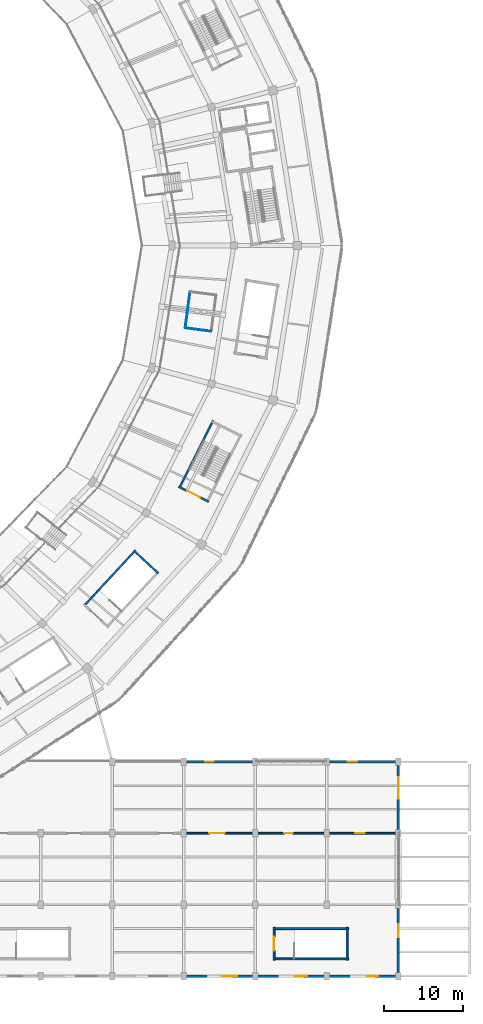
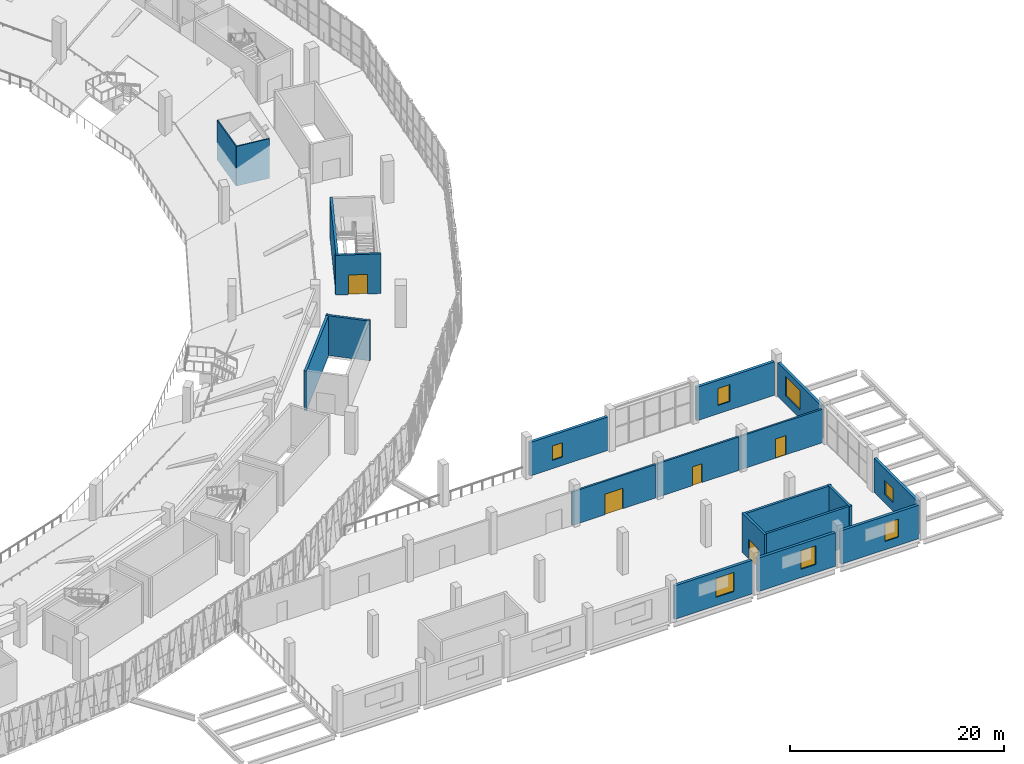
# One storey, part 96 of 152: 20 walls, 7 windows, 5 doors, 12 openings.
"""IFC4 building model written with IfcOpenShell, lengths in metres."""

from ifc_helpers import new_model, si_unit, direction, frame, frame_2d, origin, place, context, subcontext, project, spatial, rectangle, extrude, material, layer, layer_set, type_object, element, fill, save


model = new_model("IFC4")

# Units and contexts
model_context = context("Model", 3, precision=1e-05, world=origin(), true_north=direction((0.0, 1.0)))
body_context = subcontext(model_context, "Body", "Model", "MODEL_VIEW")
ifc_project = project(units=[si_unit("LENGTHUNIT", "METRE"), si_unit("AREAUNIT", "SQUARE_METRE"), si_unit("VOLUMEUNIT", "CUBIC_METRE"), si_unit("PLANEANGLEUNIT", "RADIAN"), si_unit("MASSUNIT", "GRAM", prefix="KILO")], contexts=[model_context])

# Site, building, storey
site_placement = place(None, origin())
site = spatial("IfcSite", under=ifc_project, at=site_placement, CompositionType="ELEMENT")
building_placement = place(site_placement, origin())
building = spatial("IfcBuilding", under=site, at=building_placement, Name="Zevraka Park Crest Stadium", CompositionType="ELEMENT")
storey_placement = place(building_placement, frame((0.0, 0.0, 15.0)))
storey = spatial("IfcBuildingStorey", under=building, at=storey_placement, Name="L03", CompositionType="ELEMENT", Elevation=15.0)

# Wall, opening, window
ifc_material_1 = material(Name="Limestone and red clay brick masonry", Category="masonry")
ifc_layer_1 = layer(ifc_material_1, 0.300048828125)
ifc_layer_set_1 = layer_set([ifc_layer_1], Name="Limestone and red clay brick masonry")
wall_type_1 = type_object("IfcWallType", Name="EW02", PredefinedType="STANDARD", material=ifc_layer_set_1)
wall_1_placement = place(storey_placement, frame((214.699951171875, 0.0, 0.0), z_axis=(0.0, 0.0, 1.0), x_axis=(-1.0, 0.0, 0.0)))
wall_1 = element("IfcWall", 1, at=wall_1_placement, inside=storey, type_object=wall_type_1, Name="Wing External Cavity Wall EW02 L03-SE-S3-1", PredefinedType="STANDARD", context=body_context, shape_type="SweptSolid", body=[
    extrude(rectangle(XDim=8.39990234375, YDim=0.300048828125, at=frame_2d((4.199951171875, 0.0))), origin(), (0.0, 0.0, 1.0), 3.823486328125),
])
opening_1_placement = place(wall_1_placement, frame((2.199951171875, 0.0, 0.949951171875)))
opening_1 = element("IfcOpeningElement", 2, at=opening_1_placement, cuts=wall_1, Name="Opening WN37", PredefinedType="OPENING", context=body_context, shape_type="SweptSolid", body=[
    extrude(rectangle(XDim=1.47998046875, YDim=2.050048828125, at=frame_2d((0.739990234375, 1.02490234375))), frame((0.0, 0.159912109375, 0.0), z_axis=(0.0, -1.0, 0.0), x_axis=(1.0, 0.0, 0.0)), (0.0, 0.0, 1.0), 0.320068359375),
])
ifc_material_2 = material(Name="Solar-control laminated double glazing in aluminium frame", Category="aluminium")
window_type_1 = type_object("IfcWindowType", Name="WN37", PartitioningType="SINGLE_PANEL", PredefinedType="WINDOW", material=ifc_material_2)
window_1_placement = place(opening_1_placement, origin())
window_1 = element("IfcWindow", 3, at=window_1_placement, inside=storey, type_object=window_type_1, Name="Facade Casement Window WN37 W-L03-119", OverallHeight=2.050048828125, OverallWidth=1.47998046875, PartitioningType="SINGLE_PANEL", PredefinedType="WINDOW", context=body_context, shape_type="SweptSolid", body=[
    extrude(rectangle(XDim=1.47998046875, YDim=2.050048828125, at=frame_2d((0.739990234375, 1.02490234375))), frame((0.0, 0.030029296875, 0.0), z_axis=(0.0, -1.0, 0.0), x_axis=(1.0, 0.0, 0.0)), (0.0, 0.0, 1.0), 0.06005859375),
])
fill(opening_1, window_1)

wall_2_placement = place(storey_placement, frame((205.699951171875, 0.0, 0.0), z_axis=(0.0, 0.0, 1.0), x_axis=(-1.0, 0.0, 0.0)))
wall_2 = element("IfcWall", 4, at=wall_2_placement, inside=storey, type_object=wall_type_1, Name="Wing External Cavity Wall EW02 L03-SE-S3-2", PredefinedType="STANDARD", context=body_context, shape_type="SweptSolid", body=[
    extrude(rectangle(XDim=8.39990234375, YDim=0.300048828125, at=frame_2d((4.199951171875, 0.0))), origin(), (0.0, 0.0, 1.0), 3.823486328125),
])
opening_2_placement = place(wall_2_placement, frame((2.1298828125, 0.0, 0.949951171875)))
opening_2 = element("IfcOpeningElement", 5, at=opening_2_placement, cuts=wall_2, Name="Opening WN38", PredefinedType="OPENING", context=body_context, shape_type="SweptSolid", body=[
    extrude(rectangle(XDim=1.6201171875, YDim=2.1201171875, at=frame_2d((0.81005859375, 1.06005859375))), frame((0.0, 0.159912109375, 0.0), z_axis=(0.0, -1.0, 0.0), x_axis=(1.0, 0.0, 0.0)), (0.0, 0.0, 1.0), 0.320068359375),
])
ifc_material_3 = material(Name="Solar-control laminated double glazing in aluminium frame", Category="aluminium")
window_type_2 = type_object("IfcWindowType", Name="WN38", PartitioningType="SINGLE_PANEL", PredefinedType="WINDOW", material=ifc_material_3)
window_2_placement = place(opening_2_placement, origin())
window_2 = element("IfcWindow", 6, at=window_2_placement, inside=storey, type_object=window_type_2, Name="Facade Casement Window WN38 W-L03-120", OverallHeight=2.1201171875, OverallWidth=1.6201171875, PartitioningType="SINGLE_PANEL", PredefinedType="WINDOW", context=body_context, shape_type="SweptSolid", body=[
    extrude(rectangle(XDim=1.6201171875, YDim=2.1201171875, at=frame_2d((0.81005859375, 1.06005859375))), frame((0.0, 0.030029296875, 0.0), z_axis=(0.0, -1.0, 0.0), x_axis=(1.0, 0.0, 0.0)), (0.0, 0.0, 1.0), 0.06005859375),
])
fill(opening_2, window_2)

wall_3_placement = place(storey_placement, frame((196.699951171875, 0.0, 0.0), z_axis=(0.0, 0.0, 1.0), x_axis=(-1.0, 0.0, 0.0)))
wall_3 = element("IfcWall", 7, at=wall_3_placement, inside=storey, type_object=wall_type_1, Name="Wing External Cavity Wall EW02 L03-SE-S3-3", PredefinedType="STANDARD", context=body_context, shape_type="SweptSolid", body=[
    extrude(rectangle(XDim=8.39990234375, YDim=0.300048828125, at=frame_2d((4.199951171875, 0.0))), origin(), (0.0, 0.0, 1.0), 3.823486328125),
])
opening_3_placement = place(wall_3_placement, frame((1.97998046875, 0.0, 0.949951171875)))
opening_3 = element("IfcOpeningElement", 8, at=opening_3_placement, cuts=wall_3, Name="Opening WN39", PredefinedType="OPENING", context=body_context, shape_type="SweptSolid", body=[
    extrude(rectangle(XDim=1.919921875, YDim=2.179931640625, at=frame_2d((0.9599609375, 1.08984375))), frame((0.0, 0.159912109375, 0.0), z_axis=(0.0, -1.0, 0.0), x_axis=(1.0, 0.0, 0.0)), (0.0, 0.0, 1.0), 0.320068359375),
])
ifc_material_4 = material(Name="Solar-control laminated double glazing in aluminium frame", Category="aluminium")
window_type_3 = type_object("IfcWindowType", Name="WN39", PartitioningType="SINGLE_PANEL", PredefinedType="WINDOW", material=ifc_material_4)
window_3_placement = place(opening_3_placement, origin())
window_3 = element("IfcWindow", 9, at=window_3_placement, inside=storey, type_object=window_type_3, Name="Facade Casement Window WN39 W-L03-121", OverallHeight=2.179931640625, OverallWidth=1.919921875, PartitioningType="SINGLE_PANEL", PredefinedType="WINDOW", context=body_context, shape_type="SweptSolid", body=[
    extrude(rectangle(XDim=1.919921875, YDim=2.179931640625, at=frame_2d((0.9599609375, 1.08984375))), frame((0.0, 0.030029296875, 0.0), z_axis=(0.0, -1.0, 0.0), x_axis=(1.0, 0.0, 0.0)), (0.0, 0.0, 1.0), 0.06005859375),
])
fill(opening_3, window_3)

wall_4_placement = place(storey_placement, frame((215.0, 26.550048828125, 0.0), z_axis=(0.0, 0.0, 1.0), x_axis=(0.0, -1.0, 0.0)))
wall_4 = element("IfcWall", 10, at=wall_4_placement, inside=storey, type_object=wall_type_1, Name="Wing External Cavity Wall EW02 L03-SE-E3-1", PredefinedType="STANDARD", context=body_context, shape_type="SweptSolid", body=[
    extrude(rectangle(XDim=8.10009765625, YDim=0.300048828125, at=frame_2d((4.050048828125, 0.0))), origin(), (0.0, 0.0, 1.0), 3.85693359375),
])
opening_4_placement = place(wall_4_placement, frame((1.485107421875, 0.0, 0.949951171875)))
opening_4 = element("IfcOpeningElement", 11, at=opening_4_placement, cuts=wall_4, Name="Opening WN07", PredefinedType="OPENING", context=body_context, shape_type="SweptSolid", body=[
    extrude(rectangle(XDim=2.699951171875, YDim=2.25, at=frame_2d((1.35009765625, 1.125))), frame((0.0, 0.159912109375, 0.0), z_axis=(0.0, -1.0, 0.0), x_axis=(1.0, 0.0, 0.0)), (0.0, 0.0, 1.0), 0.320068359375),
])
ifc_material_5 = material(Name="Solar-control laminated double glazing in aluminium frame", Category="aluminium")
window_type_4 = type_object("IfcWindowType", Name="WN07", PartitioningType="SINGLE_PANEL", PredefinedType="WINDOW", material=ifc_material_5)
window_4_placement = place(opening_4_placement, origin())
window_4 = element("IfcWindow", 12, at=window_4_placement, inside=storey, type_object=window_type_4, Name="Facade Casement Window WN07 W-L03-130", OverallHeight=2.25, OverallWidth=2.699951171875, PartitioningType="SINGLE_PANEL", PredefinedType="WINDOW", context=body_context, shape_type="SweptSolid", body=[
    extrude(rectangle(XDim=2.699951171875, YDim=2.25, at=frame_2d((1.35009765625, 1.125))), frame((0.0, 0.030029296875, 0.0), z_axis=(0.0, -1.0, 0.0), x_axis=(1.0, 0.0, 0.0)), (0.0, 0.0, 1.0), 0.06005859375),
])
fill(opening_4, window_4)

wall_5_placement = place(storey_placement, frame((215.0, 8.550048828125, 0.0), z_axis=(0.0, 0.0, 1.0), x_axis=(0.0, -1.0, 0.0)))
wall_5 = element("IfcWall", 13, at=wall_5_placement, inside=storey, type_object=wall_type_1, Name="Wing External Cavity Wall EW02 L03-SE-E3-3", PredefinedType="STANDARD", context=body_context, shape_type="SweptSolid", body=[
    extrude(rectangle(XDim=8.10009765625, YDim=0.300048828125, at=frame_2d((4.050048828125, 0.0))), origin(), (0.0, 0.0, 1.0), 3.85693359375),
])
opening_5_placement = place(wall_5_placement, frame((2.034912109375, 0.0, 0.949951171875)))
opening_5 = element("IfcOpeningElement", 14, at=opening_5_placement, cuts=wall_5, Name="Opening WN08", PredefinedType="OPENING", context=body_context, shape_type="SweptSolid", body=[
    extrude(rectangle(XDim=1.60009765625, YDim=1.60009765625, at=frame_2d((0.800048828125, 0.800048828125))), frame((0.0, 0.159912109375, 0.0), z_axis=(0.0, -1.0, 0.0), x_axis=(1.0, 0.0, 0.0)), (0.0, 0.0, 1.0), 0.320068359375),
])
ifc_material_6 = material(Name="Solar-control laminated double glazing in aluminium frame", Category="aluminium")
window_type_5 = type_object("IfcWindowType", Name="WN08", PartitioningType="SINGLE_PANEL", PredefinedType="WINDOW", material=ifc_material_6)
window_5_placement = place(opening_5_placement, origin())
window_5 = element("IfcWindow", 15, at=window_5_placement, inside=storey, type_object=window_type_5, Name="Facade Casement Window WN08 W-L03-131", OverallHeight=1.60009765625, OverallWidth=1.60009765625, PartitioningType="SINGLE_PANEL", PredefinedType="WINDOW", context=body_context, shape_type="SweptSolid", body=[
    extrude(rectangle(XDim=1.60009765625, YDim=1.60009765625, at=frame_2d((0.800048828125, 0.800048828125))), frame((0.0, 0.030029296875, 0.0), z_axis=(0.0, -1.0, 0.0), x_axis=(1.0, 0.0, 0.0)), (0.0, 0.0, 1.0), 0.06005859375),
])
fill(opening_5, window_5)

wall_6_placement = place(storey_placement, frame((188.300048828125, 27.0, 0.0), z_axis=(0.0, 0.0, 1.0), x_axis=(1.0, 0.0, 0.0)))
wall_6 = element("IfcWall", 16, at=wall_6_placement, inside=storey, type_object=wall_type_1, Name="Wing External Cavity Wall EW02 L03-SE-N3-1", PredefinedType="STANDARD", context=body_context, shape_type="SweptSolid", body=[
    extrude(rectangle(XDim=8.39990234375, YDim=0.300048828125, at=frame_2d((4.199951171875, 0.0))), origin(), (0.0, 0.0, 1.0), 3.823486328125),
])
opening_6_placement = place(wall_6_placement, frame((2.389892578125, 0.0, 0.949951171875)))
opening_6 = element("IfcOpeningElement", 17, at=opening_6_placement, cuts=wall_6, Name="Opening WN17", PredefinedType="OPENING", context=body_context, shape_type="SweptSolid", body=[
    extrude(rectangle(XDim=1.10009765625, YDim=1.64990234375, at=frame_2d((0.550048828125, 0.824951171875))), frame((0.0, 0.159912109375, 0.0), z_axis=(0.0, -1.0, 0.0), x_axis=(1.0, 0.0, 0.0)), (0.0, 0.0, 1.0), 0.320068359375),
])
ifc_material_7 = material(Name="Solar-control laminated double glazing in aluminium frame", Category="aluminium")
window_type_6 = type_object("IfcWindowType", Name="WN17", PartitioningType="SINGLE_PANEL", PredefinedType="WINDOW", material=ifc_material_7)
window_6_placement = place(opening_6_placement, origin())
window_6 = element("IfcWindow", 18, at=window_6_placement, inside=storey, type_object=window_type_6, Name="Facade Casement Window WN17 W-L03-140", OverallHeight=1.64990234375, OverallWidth=1.10009765625, PartitioningType="SINGLE_PANEL", PredefinedType="WINDOW", context=body_context, shape_type="SweptSolid", body=[
    extrude(rectangle(XDim=1.10009765625, YDim=1.64990234375, at=frame_2d((0.550048828125, 0.824951171875))), frame((0.0, 0.030029296875, 0.0), z_axis=(0.0, -1.0, 0.0), x_axis=(1.0, 0.0, 0.0)), (0.0, 0.0, 1.0), 0.06005859375),
])
fill(opening_6, window_6)

wall_7_placement = place(storey_placement, frame((206.300048828125, 27.0, 0.0), z_axis=(0.0, 0.0, 1.0), x_axis=(1.0, 0.0, 0.0)))
wall_7 = element("IfcWall", 19, at=wall_7_placement, inside=storey, type_object=wall_type_1, Name="Wing External Cavity Wall EW02 L03-SE-N3-3", PredefinedType="STANDARD", context=body_context, shape_type="SweptSolid", body=[
    extrude(rectangle(XDim=8.39990234375, YDim=0.300048828125, at=frame_2d((4.199951171875, 0.0))), origin(), (0.0, 0.0, 1.0), 3.823486328125),
])
opening_7_placement = place(wall_7_placement, frame((2.31494140625, 0.0, 0.949951171875)))
opening_7 = element("IfcOpeningElement", 20, at=opening_7_placement, cuts=wall_7, Name="Opening WN18", PredefinedType="OPENING", context=body_context, shape_type="SweptSolid", body=[
    extrude(rectangle(XDim=1.25, YDim=1.949951171875, at=frame_2d((0.625, 0.97509765625))), frame((0.0, 0.159912109375, 0.0), z_axis=(0.0, -1.0, 0.0), x_axis=(1.0, 0.0, 0.0)), (0.0, 0.0, 1.0), 0.320068359375),
])
ifc_material_8 = material(Name="Solar-control laminated double glazing in aluminium frame", Category="aluminium")
window_type_7 = type_object("IfcWindowType", Name="WN18", PartitioningType="SINGLE_PANEL", PredefinedType="WINDOW", material=ifc_material_8)
window_7_placement = place(opening_7_placement, origin())
window_7 = element("IfcWindow", 21, at=window_7_placement, inside=storey, type_object=window_type_7, Name="Facade Casement Window WN18 W-L03-141", OverallHeight=1.949951171875, OverallWidth=1.25, PartitioningType="SINGLE_PANEL", PredefinedType="WINDOW", context=body_context, shape_type="SweptSolid", body=[
    extrude(rectangle(XDim=1.25, YDim=1.949951171875, at=frame_2d((0.625, 0.97509765625))), frame((0.0, 0.030029296875, 0.0), z_axis=(0.0, -1.0, 0.0), x_axis=(1.0, 0.0, 0.0)), (0.0, 0.0, 1.0), 0.06005859375),
])
fill(opening_7, window_7)

# Wall, opening, door
ifc_material_9 = material(Name="Autoclaved aerated masonry blockwork", Category="masonry")
ifc_layer_2 = layer(ifc_material_9, 0.199951171875)
ifc_layer_set_2 = layer_set([ifc_layer_2], Name="Autoclaved aerated masonry blockwork")
wall_type_2 = type_object("IfcWallType", Name="IW01", PredefinedType="PARTITIONING", material=ifc_layer_set_2)
wall_8_placement = place(storey_placement, frame((187.675048828125, 18.0, 0.0), z_axis=(0.0, 0.0, 1.0), x_axis=(1.0, 0.0, 0.0)))
wall_8 = element("IfcWall", 22, at=wall_8_placement, inside=storey, type_object=wall_type_2, Name="Interior Partition IW01 Acoustic Plant Control Room L03", PredefinedType="PARTITIONING", context=body_context, shape_type="SweptSolid", body=[
    extrude(rectangle(XDim=9.014892578125, YDim=0.199951171875, at=frame_2d((4.50732421875, 0.0))), origin(), (0.0, 0.0, 1.0), 3.823486328125),
])
opening_8_placement = place(wall_8_placement, frame((3.531982421875, 0.0, 0.0)))
opening_8 = element("IfcOpeningElement", 23, at=opening_8_placement, cuts=wall_8, Name="Opening D-L03-469", PredefinedType="OPENING", context=body_context, shape_type="SweptSolid", body=[
    extrude(rectangle(XDim=1.949951171875, YDim=2.35009765625, at=frame_2d((0.97509765625, 1.175048828125))), frame((0.0, 0.10986328125, 0.0), z_axis=(0.0, -1.0, 0.0), x_axis=(1.0, 0.0, 0.0)), (0.0, 0.0, 1.0), 0.219970703125),
])
ifc_material_10 = material(Name="Solid-core hardwood timber leaf in steel frame", Category="steel")
door_type_1 = type_object("IfcDoorType", Name="DR28", OperationType="NOTDEFINED", PredefinedType="DOOR", material=ifc_material_10)
door_1_placement = place(opening_8_placement, origin())
door_1 = element("IfcDoor", 24, at=door_1_placement, inside=storey, type_object=door_type_1, Name="Acoustic Plant Control Room Door D-L03-469", OperationType="DOUBLE_DOOR_SINGLE_SWING", OverallHeight=2.35009765625, OverallWidth=1.949951171875, PredefinedType="DOOR", context=body_context, shape_type="SweptSolid", body=[
    extrude(rectangle(XDim=1.949951171875, YDim=2.35009765625, at=frame_2d((0.97509765625, 1.175048828125))), frame((0.0, 0.02490234375, 0.0), z_axis=(0.0, -1.0, 0.0), x_axis=(1.0, 0.0, 0.0)), (0.0, 0.0, 1.0), 0.050048828125),
])
fill(opening_8, door_1)

wall_9_placement = place(storey_placement, frame((196.675048828125, 18.0, 0.0), z_axis=(0.0, 0.0, 1.0), x_axis=(1.0, 0.0, 0.0)))
wall_9 = element("IfcWall", 25, at=wall_9_placement, inside=storey, type_object=wall_type_2, Name="Interior Partition IW01 Acoustic Plant Control Room L03", PredefinedType="PARTITIONING", context=body_context, shape_type="SweptSolid", body=[
    extrude(rectangle(XDim=9.014892578125, YDim=0.199951171875, at=frame_2d((4.50732421875, 0.0))), origin(), (0.0, 0.0, 1.0), 3.823486328125),
])
opening_9_placement = place(wall_9_placement, frame((3.98193359375, 0.0, 0.0)))
opening_9 = element("IfcOpeningElement", 26, at=opening_9_placement, cuts=wall_9, Name="Opening D-L03-470", PredefinedType="OPENING", context=body_context, shape_type="SweptSolid", body=[
    extrude(rectangle(XDim=1.050048828125, YDim=2.14990234375, at=frame_2d((0.52490234375, 1.074951171875))), frame((0.0, 0.10986328125, 0.0), z_axis=(0.0, -1.0, 0.0), x_axis=(1.0, 0.0, 0.0)), (0.0, 0.0, 1.0), 0.219970703125),
])
ifc_material_11 = material(Name="Solid-core hardwood timber leaf in steel frame", Category="steel")
door_type_2 = type_object("IfcDoorType", Name="DR02", OperationType="NOTDEFINED", PredefinedType="DOOR", material=ifc_material_11)
door_2_placement = place(opening_9_placement, origin())
door_2 = element("IfcDoor", 27, at=door_2_placement, inside=storey, type_object=door_type_2, Name="Acoustic Plant Control Room Door D-L03-470", OperationType="SINGLE_SWING_LEFT", OverallHeight=2.14990234375, OverallWidth=1.050048828125, PredefinedType="DOOR", context=body_context, shape_type="SweptSolid", body=[
    extrude(rectangle(XDim=1.050048828125, YDim=2.14990234375, at=frame_2d((0.52490234375, 1.074951171875))), frame((0.0, 0.02490234375, 0.0), z_axis=(0.0, -1.0, 0.0), x_axis=(1.0, 0.0, 0.0)), (0.0, 0.0, 1.0), 0.050048828125),
])
fill(opening_9, door_2)

wall_10_placement = place(storey_placement, frame((205.675048828125, 18.0, 0.0), z_axis=(0.0, 0.0, 1.0), x_axis=(1.0, 0.0, 0.0)))
wall_10 = element("IfcWall", 28, at=wall_10_placement, inside=storey, type_object=wall_type_2, Name="Interior Partition IW01 Acoustic Plant Control Room L03", PredefinedType="PARTITIONING", context=body_context, shape_type="SweptSolid", body=[
    extrude(rectangle(XDim=9.014892578125, YDim=0.199951171875, at=frame_2d((4.50732421875, 0.0))), origin(), (0.0, 0.0, 1.0), 3.823486328125),
])
opening_10_placement = place(wall_10_placement, frame((3.931884765625, 0.0, 0.0)))
opening_10 = element("IfcOpeningElement", 29, at=opening_10_placement, cuts=wall_10, Name="Opening D-L03-471", PredefinedType="OPENING", context=body_context, shape_type="SweptSolid", body=[
    extrude(rectangle(XDim=1.14990234375, YDim=2.199951171875, at=frame_2d((0.574951171875, 1.10009765625))), frame((0.0, 0.10986328125, 0.0), z_axis=(0.0, -1.0, 0.0), x_axis=(1.0, 0.0, 0.0)), (0.0, 0.0, 1.0), 0.219970703125),
])
ifc_material_12 = material(Name="Solid-core hardwood timber leaf in steel frame", Category="steel")
door_type_3 = type_object("IfcDoorType", Name="DR03", OperationType="NOTDEFINED", PredefinedType="DOOR", material=ifc_material_12)
door_3_placement = place(opening_10_placement, origin())
door_3 = element("IfcDoor", 30, at=door_3_placement, inside=storey, type_object=door_type_3, Name="Acoustic Plant Control Room Door D-L03-471", OperationType="SINGLE_SWING_RIGHT", OverallHeight=2.199951171875, OverallWidth=1.14990234375, PredefinedType="DOOR", context=body_context, shape_type="SweptSolid", body=[
    extrude(rectangle(XDim=1.14990234375, YDim=2.199951171875, at=frame_2d((0.574951171875, 1.10009765625))), frame((0.0, 0.02490234375, 0.0), z_axis=(0.0, -1.0, 0.0), x_axis=(1.0, 0.0, 0.0)), (0.0, 0.0, 1.0), 0.050048828125),
])
fill(opening_10, door_3)

# Walls
ifc_material_13 = material(Name="Moisture-resistant sanitary partition", Category="other")
ifc_layer_3 = layer(ifc_material_13, 0.1201171875)
ifc_layer_set_3 = layer_set([ifc_layer_3], Name="Moisture-resistant sanitary partition")
wall_type_3 = type_object("IfcWallType", Name="IW04", PredefinedType="PARTITIONING", material=ifc_layer_set_3)
wall_11_placement = place(storey_placement, frame((188.18994140625, 81.60693359375, 0.0), z_axis=(0.0, 0.0, 1.0), x_axis=(0.130446275685, 0.991455379309, 0.0)))
element("IfcWall", 31, at=wall_11_placement, inside=storey, type_object=wall_type_3, Name="Sanitary Enclosure Wall IW04 Male WC L03-001-1", PredefinedType="PARTITIONING", context=body_context, shape_type="SweptSolid", body=[
    extrude(rectangle(XDim=4.600341796875, YDim=0.1201171875, at=frame_2d((2.30029296875, 0.0))), origin(), (0.0, 0.0, 1.0), 4.52001953125),
])
wall_12_placement = place(storey_placement, frame((191.4619140625, 81.177001953125, 0.0), z_axis=(0.0, 0.0, 1.0), x_axis=(-0.991477445815, 0.13027844964, 0.0)))
element("IfcWall", 32, at=wall_12_placement, inside=storey, type_object=wall_type_3, Name="Sanitary Enclosure Wall IW04 Male WC L03-001-4", PredefinedType="PARTITIONING", context=body_context, shape_type="SweptSolid", body=[
    extrude(rectangle(XDim=3.300048828125, YDim=0.1201171875, at=frame_2d((1.64990234375, 0.0))), origin(), (0.0, 0.0, 1.0), 4.52001953125),
])
ifc_material_14 = material(Name="Concrete C40/50", Category="concrete")
ifc_layer_4 = layer(ifc_material_14, 0.25)
ifc_layer_set_4 = layer_set([ifc_layer_4], Name="Concrete C40/50")
wall_type_4 = type_object("IfcWallType", Name="SW01", PredefinedType="SHEAR", material=ifc_layer_set_4)
wall_13_placement = place(storey_placement, frame((181.9287109375, 53.618896484375, 0.0), z_axis=(0.0, 0.0, 1.0), x_axis=(-0.680245155897, -0.732984670971, 0.0)))
element("IfcWall", 33, at=wall_13_placement, inside=storey, type_object=wall_type_4, Name="Stair Core Shear Wall SW01 ST22 L03 right", PredefinedType="SHEAR", context=body_context, shape_type="SweptSolid", body=[
    extrude(rectangle(XDim=9.550048828125, YDim=0.25, at=frame_2d((4.77490234375, 0.0))), origin(), (0.0, 0.0, 1.0), 4.5400390625),
])
wall_14_placement = place(storey_placement, frame((184.80078125, 50.700927734375, 0.0), z_axis=(0.0, 0.0, 1.0), x_axis=(-0.732977166505, 0.680253242096, 0.0)))
element("IfcWall", 34, at=wall_14_placement, inside=storey, type_object=wall_type_4, Name="Stair Core Shear Wall SW01 ST22 L03 far", PredefinedType="SHEAR", context=body_context, shape_type="SweptSolid", body=[
    extrude(rectangle(XDim=4.260009765625, YDim=0.25, at=frame_2d((2.1298828125, 0.0))), origin(), (0.0, 0.0, 1.0), 4.5400390625),
])
wall_15_placement = place(storey_placement, frame((191.70947265625, 69.98095703125, 0.0), z_axis=(0.0, 0.0, 1.0), x_axis=(-0.4479088042, -0.894079248792, 0.0)))
element("IfcWall", 35, at=wall_15_placement, inside=storey, type_object=wall_type_4, Name="Stair Core Shear Wall SW01 ST23 L03 right", PredefinedType="SHEAR", context=body_context, shape_type="SweptSolid", body=[
    extrude(rectangle(XDim=9.550048828125, YDim=0.25, at=frame_2d((4.77490234375, 0.0))), origin(), (0.0, 0.0, 1.0), 4.5400390625),
])

# Wall, opening, door
wall_16_placement = place(storey_placement, frame((187.335693359375, 61.63037109375, 0.0), z_axis=(0.0, 0.0, 1.0), x_axis=(0.894071595331, -0.447924081092, 0.0)))
wall_16 = element("IfcWall", 36, at=wall_16_placement, inside=storey, type_object=wall_type_4, Name="Stair Core Shear Wall SW01 ST23 L03 near", PredefinedType="SHEAR", context=body_context, shape_type="SweptSolid", body=[
    extrude(rectangle(XDim=4.260009765625, YDim=0.25, at=frame_2d((2.1298828125, 0.0))), origin(), (0.0, 0.0, 1.0), 4.5400390625),
])
opening_11_placement = place(wall_16_placement, frame((1.22998046875, 0.0, 0.0)))
opening_11 = element("IfcOpeningElement", 37, at=opening_11_placement, cuts=wall_16, Name="Opening D-L03-138", PredefinedType="OPENING", context=body_context, shape_type="SweptSolid", body=[
    extrude(rectangle(XDim=1.800048828125, YDim=2.25, at=frame_2d((0.89990234375, 1.125))), frame((0.0, 0.135009765625, 0.0), z_axis=(0.0, -1.0, 0.0), x_axis=(1.0, 0.0, 0.0)), (0.0, 0.0, 1.0), 0.27001953125),
])
ifc_material_15 = material(Name="Solid-core hardwood timber leaf in steel frame", Category="steel")
door_type_4 = type_object("IfcDoorType", Name="DR04", OperationType="NOTDEFINED", PredefinedType="DOOR", material=ifc_material_15)
door_4_placement = place(opening_11_placement, origin())
door_4 = element("IfcDoor", 38, at=door_4_placement, inside=storey, type_object=door_type_4, Name="Protected Stair Entry Door ST23 L03", OperationType="DOUBLE_DOOR_SINGLE_SWING", OverallHeight=2.25, OverallWidth=1.800048828125, PredefinedType="DOOR", context=body_context, shape_type="SweptSolid", body=[
    extrude(rectangle(XDim=1.800048828125, YDim=2.25, at=frame_2d((0.89990234375, 1.125))), frame((0.0, 0.02490234375, 0.0), z_axis=(0.0, -1.0, 0.0), x_axis=(1.0, 0.0, 0.0)), (0.0, 0.0, 1.0), 0.050048828125),
])
fill(opening_11, door_4)

# Walls
for number, where, z_axis, x_axis, name in (
    (39, (199.25, 2.169921875, 0.0), (0.0, 0.0, 1.0), (1.0, 0.0, 0.0), "Stair Core Shear Wall SW01 ST54 L03 left"),
    (40, (208.75, 5.989990234375, 0.0), (0.0, 0.0, 1.0), (-1.0, 0.0, 0.0), "Stair Core Shear Wall SW01 ST54 L03 right"),
):
    element("IfcWall", number, at=place(storey_placement, frame(where, z_axis=z_axis, x_axis=x_axis)), inside=storey, type_object=wall_type_4, Name=name, PredefinedType="SHEAR", context=body_context, shape_type="SweptSolid", body=[
        extrude(rectangle(XDim=9.5, YDim=0.25, at=frame_2d((4.75, 0.0))), origin(), (0.0, 0.0, 1.0), 4.5400390625),
    ])

# Wall, opening, door
wall_17_placement = place(storey_placement, frame((199.375, 6.159912109375, 0.0), z_axis=(0.0, 0.0, 1.0), x_axis=(0.0, -1.0, 0.0)))
wall_17 = element("IfcWall", 41, at=wall_17_placement, inside=storey, type_object=wall_type_4, Name="Stair Core Shear Wall SW01 ST54 L03 near", PredefinedType="SHEAR", context=body_context, shape_type="SweptSolid", body=[
    extrude(rectangle(XDim=4.159912109375, YDim=0.25, at=frame_2d((2.080078125, 0.0))), origin(), (0.0, 0.0, 1.0), 4.5400390625),
])
opening_12_placement = place(wall_17_placement, frame((1.179931640625, 0.0, 0.0)))
opening_12 = element("IfcOpeningElement", 42, at=opening_12_placement, cuts=wall_17, Name="Opening D-L03-282", PredefinedType="OPENING", context=body_context, shape_type="SweptSolid", body=[
    extrude(rectangle(XDim=1.800048828125, YDim=2.25, at=frame_2d((0.89990234375, 1.125))), frame((0.0, 0.135009765625, 0.0), z_axis=(0.0, -1.0, 0.0), x_axis=(1.0, 0.0, 0.0)), (0.0, 0.0, 1.0), 0.27001953125),
])
door_5_placement = place(opening_12_placement, origin())
door_5 = element("IfcDoor", 43, at=door_5_placement, inside=storey, type_object=door_type_4, Name="Protected Stair Entry Door ST54 L03", OperationType="DOUBLE_DOOR_SINGLE_SWING", OverallHeight=2.25, OverallWidth=1.800048828125, PredefinedType="DOOR", context=body_context, shape_type="SweptSolid", body=[
    extrude(rectangle(XDim=1.800048828125, YDim=2.25, at=frame_2d((0.89990234375, 1.125))), frame((0.0, 0.02490234375, 0.0), z_axis=(0.0, -1.0, 0.0), x_axis=(1.0, 0.0, 0.0)), (0.0, 0.0, 1.0), 0.050048828125),
])
fill(opening_12, door_5)

# Wall
wall_18_placement = place(storey_placement, frame((208.56494140625, 2.0, 0.0), z_axis=(0.0, 0.0, 1.0), x_axis=(0.0, 1.0, 0.0)))
element("IfcWall", 44, at=wall_18_placement, inside=storey, type_object=wall_type_4, Name="Stair Core Shear Wall SW01 ST54 L03 far", PredefinedType="SHEAR", context=body_context, shape_type="SweptSolid", body=[
    extrude(rectangle(XDim=4.159912109375, YDim=0.25, at=frame_2d((2.080078125, 0.0))), origin(), (0.0, 0.0, 1.0), 4.5400390625),
])

save(model, "model.ifc")
